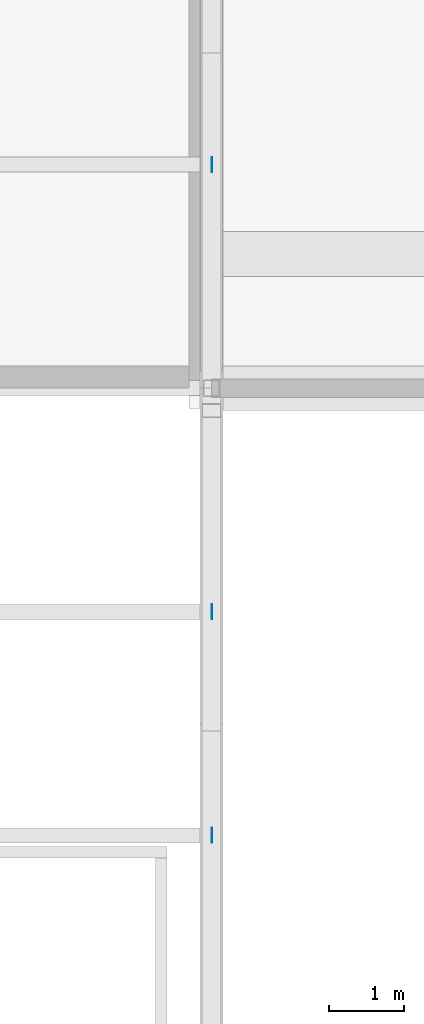
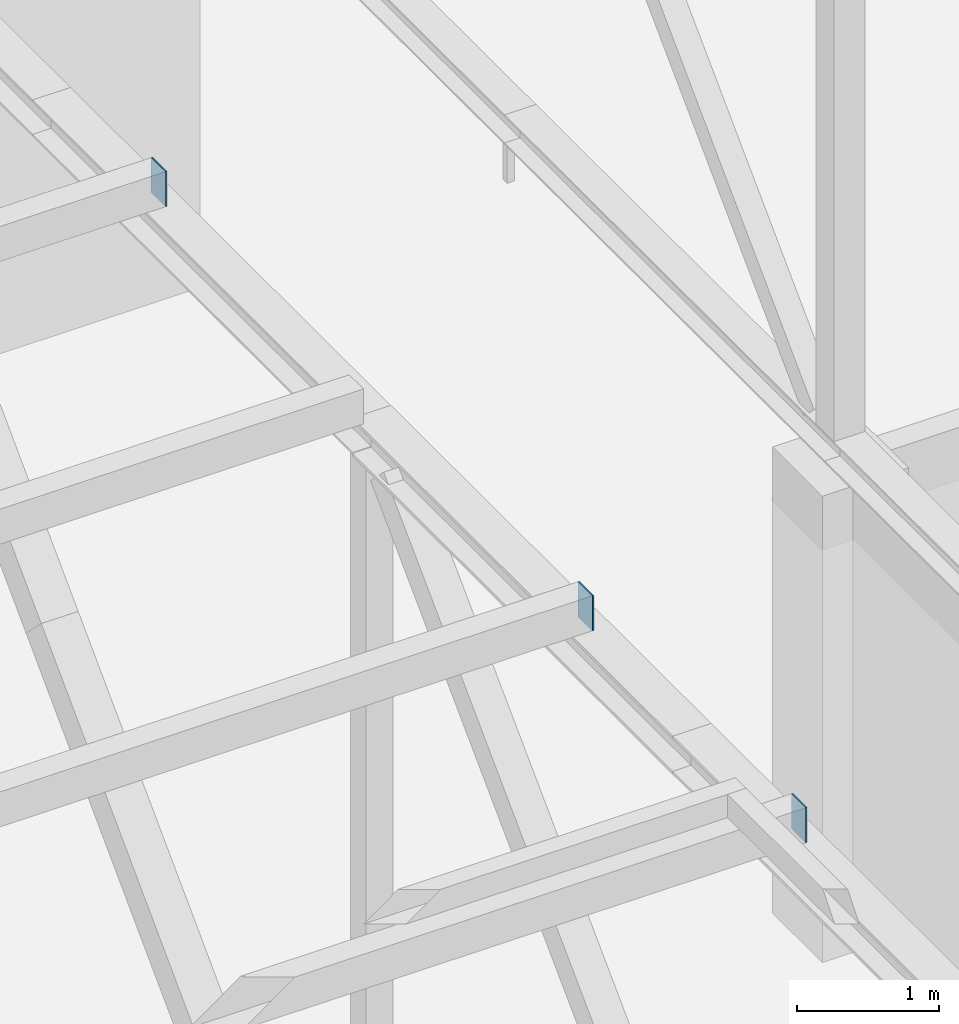
# One storey, part 198 of 646: 3 discrete accessories.
"""IFC4 building model written with IfcOpenShell, lengths in metres."""

from ifc_helpers import new_model, si_unit, direction, frame, origin, origin_2d, place, context, subcontext, project, spatial, rectangle, extrude, material, layer, layer_set, type_object, element, save


model = new_model("IFC4")

# Units and contexts
model_context = context("Model", 3, precision=1e-05, world=origin(), true_north=direction((0.0, 1.0)))
body_context = subcontext(model_context, "Body", "Model", "MODEL_VIEW")
ifc_project = project(units=[si_unit("LENGTHUNIT", "METRE"), si_unit("AREAUNIT", "SQUARE_METRE"), si_unit("VOLUMEUNIT", "CUBIC_METRE"), si_unit("PLANEANGLEUNIT", "RADIAN"), si_unit("MASSUNIT", "GRAM", prefix="KILO")], contexts=[model_context])

# Site, building, storey
site_placement = place(None, origin())
site = spatial("IfcSite", under=ifc_project, at=site_placement, CompositionType="ELEMENT")
building_placement = place(site_placement, origin())
building = spatial("IfcBuilding", under=site, at=building_placement, Name="Silverbay Arena", CompositionType="ELEMENT")
storey_placement = place(building_placement, frame((0.0, 0.0, 33.5)))
storey = spatial("IfcBuildingStorey", under=building, at=storey_placement, Name="L05", CompositionType="ELEMENT", Elevation=33.5)

# Discrete accessories
ifc_material = material(Name="Steel S355", Category="steel")
ifc_layer = layer(ifc_material, 0.011962890625)
ifc_layer_set = layer_set([ifc_layer], Name="Steel S355")
discrete_accessory_type = type_object("IfcDiscreteAccessoryType", Name="Purlin end plate 12", PredefinedType="USERDEFINED", material=ifc_layer_set)
for number, where, z_axis, x_axis, name in (
    (1, (81.0, 93.0, 13.14990234375), (1.0, 0.0, 0.0), (0.0, 1.0, 0.0), "Purlin end plate"),
    (2, (81.0, 96.0, 13.14990234375), (1.0, 0.0, 0.0), (0.0, 1.0, 0.0), "Purlin end plate"),
    (3, (81.0, 102.0, 13.14990234375), (1.0, 0.0, 0.0), (0.0, 1.0, 0.0), "Purlin end plate"),
):
    element("IfcDiscreteAccessory", number, at=place(storey_placement, frame(where, z_axis=z_axis, x_axis=x_axis)), inside=storey, type_object=discrete_accessory_type, Name=name, ObjectType="END PLATE", PredefinedType="USERDEFINED", context=body_context, shape_type="SweptSolid", body=[
        extrude(rectangle(XDim=0.199951171875, YDim=0.300048828125, at=origin_2d()), origin(), (0.0, 0.0, 1.0), 0.011962890625),
    ])

save(model, "model.ifc")
